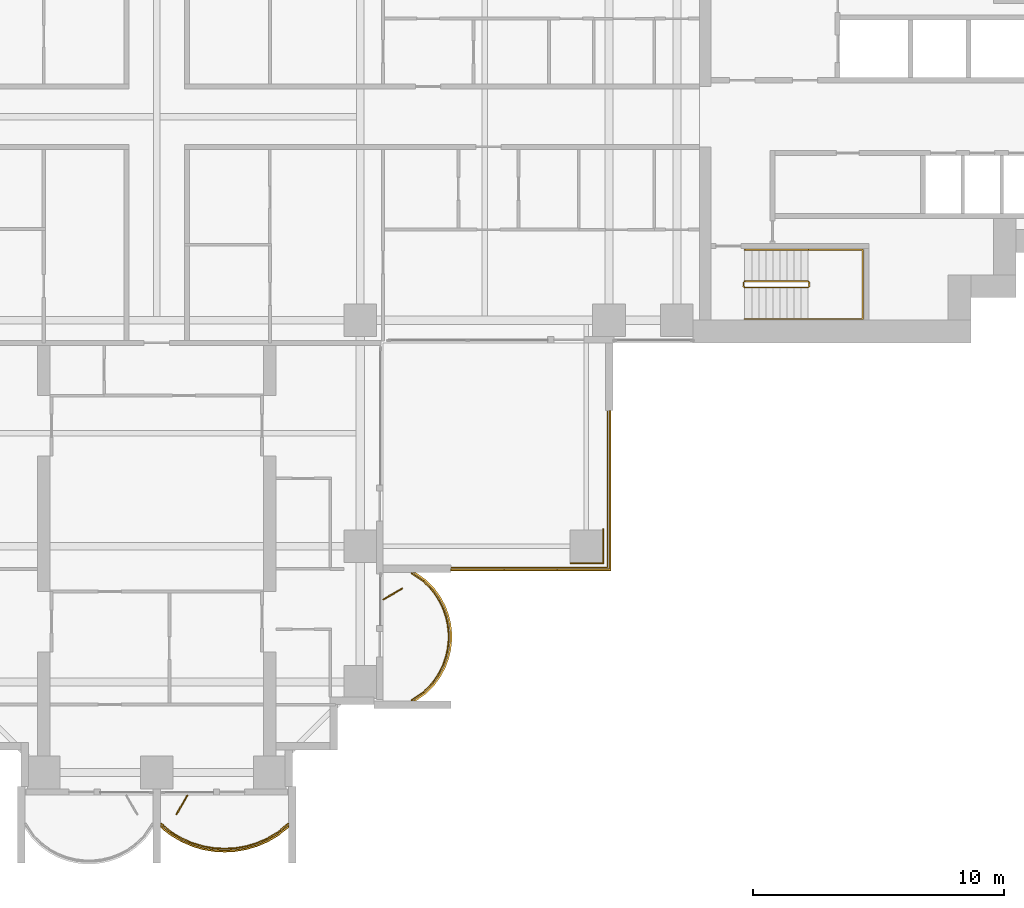
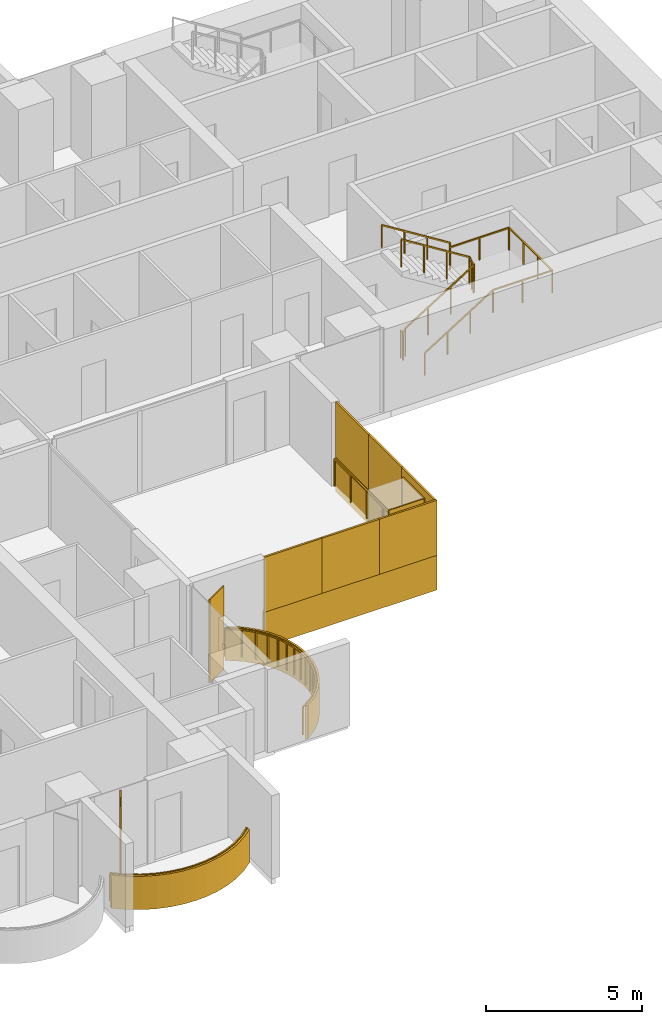
# One storey, part 18 of 21: 11 coverings, 5 railings, 2 shading devices.
"""IFC4 building model written with IfcOpenShell, lengths in metres."""

from ifc_helpers import new_model, si_unit, direction, frame, origin, origin_2d, place, context, subcontext, project, spatial, polyline, rectangle, outline, extrude, material, layer, layer_set, type_object, element, save


model = new_model("IFC4")

# Units and contexts
model_context = context("Model", 3, precision=1e-05, world=origin(), true_north=direction((0.0, 1.0)))
body_context = subcontext(model_context, "Body", "Model", "MODEL_VIEW")
ifc_project = project(units=[si_unit("LENGTHUNIT", "METRE"), si_unit("AREAUNIT", "SQUARE_METRE"), si_unit("VOLUMEUNIT", "CUBIC_METRE"), si_unit("PLANEANGLEUNIT", "RADIAN"), si_unit("MASSUNIT", "GRAM", prefix="KILO")], contexts=[model_context])

# Site, building, storey
site_placement = place(None, origin())
site = spatial("IfcSite", under=ifc_project, at=site_placement, CompositionType="ELEMENT")
building_placement = place(site_placement, origin())
building = spatial("IfcBuilding", under=site, at=building_placement, Name="Perihelion Cross Residences", CompositionType="ELEMENT")
storey_placement = place(building_placement, frame((0.0, 0.0, 54.0)))
storey = spatial("IfcBuildingStorey", under=building, at=storey_placement, Name="L10", CompositionType="ELEMENT", Elevation=54.0)

# Coverings
ifc_material_1 = material(Name="Bronze anodised aluminium", Category="aluminium")
ifc_layer_1 = layer(ifc_material_1, 0.070068359375)
ifc_layer_set_1 = layer_set([ifc_layer_1], Name="Balcony fascia 1300")
covering_type_1 = type_object("IfcCoveringType", Name="Balcony fascia 1300", PredefinedType="CLADDING", material=ifc_layer_set_1)
covering_1_placement = place(storey_placement, frame((0.0, 0.0, -0.199951171875)))
element("IfcCovering", 1, at=covering_1_placement, inside=storey, type_object=covering_type_1, Name="Fascia BF1 L10 south tip south bay 2", PredefinedType="CLADDING", context=body_context, shape_type="SweptSolid", body=[
    extrude(outline(polyline([(0.53515625, -28.59765625), (0.96826171875, -28.85498046875), (1.401123046875, -29.04248046875), (1.833984375, -29.170654296875), (2.26708984375, -29.245361328125), (2.699951171875, -29.27001953125), (3.133056640625, -29.245361328125), (3.56591796875, -29.170654296875), (3.998779296875, -29.04248046875), (4.431884765625, -28.85498046875), (4.86474609375, -28.59765625), (5.25, -28.28955078125), (5.25, -28.199951171875), (4.824951171875, -28.5400390625), (4.39990234375, -28.792724609375), (3.97509765625, -28.9765625), (3.550048828125, -29.1025390625), (3.125, -29.17578125), (2.699951171875, -29.199951171875), (2.27490234375, -29.17578125), (1.85009765625, -29.1025390625), (1.425048828125, -28.9765625), (1.0, -28.792724609375), (0.574951171875, -28.5400390625), (0.14990234375, -28.199951171875), (0.14990234375, -28.28955078125), (0.53515625, -28.59765625)])), origin(), (0.0, 0.0, 1.0), 1.300048828125),
])
covering_2_placement = place(storey_placement, frame((0.0, 0.0, -0.199951171875)))
element("IfcCovering", 2, at=covering_2_placement, inside=storey, type_object=covering_type_1, Name="Fascia BF1 L10 south side east bay 1", PredefinedType="CLADDING", context=body_context, shape_type="SweptSolid", body=[
    extrude(outline(polyline([(10.722412109375, -22.963134765625), (11.060791015625, -22.61474609375), (11.308837890625, -22.2666015625), (11.4912109375, -21.91845703125), (11.620361328125, -21.5703125), (11.703369140625, -21.22216796875), (11.743896484375, -20.8740234375), (11.743896484375, -20.52587890625), (11.703369140625, -20.177734375), (11.620361328125, -19.82958984375), (11.4912109375, -19.4814453125), (11.308837890625, -19.13330078125), (11.060791015625, -18.78515625), (10.722412109375, -18.43701171875), (10.320556640625, -18.14990234375), (10.199951171875, -18.14990234375), (10.6767578125, -18.489990234375), (11.007080078125, -18.830078125), (11.2490234375, -19.169921875), (11.42724609375, -19.510009765625), (11.553466796875, -19.85009765625), (11.63427734375, -20.18994140625), (11.674072265625, -20.530029296875), (11.674072265625, -20.8701171875), (11.63427734375, -21.2099609375), (11.553466796875, -21.550048828125), (11.42724609375, -21.889892578125), (11.2490234375, -22.22998046875), (11.007080078125, -22.570068359375), (10.6767578125, -22.909912109375), (10.199951171875, -23.25), (10.320556640625, -23.25), (10.722412109375, -22.963134765625)])), origin(), (0.0, 0.0, 1.0), 1.300048828125),
])

# Railings
ifc_material_2 = material(Name="Bronze anodised aluminium", Category="aluminium")
railing_type_1 = type_object("IfcRailingType", Name="Balcony guard 1100", PredefinedType="GUARDRAIL", material=ifc_material_2)
railing_1_placement = place(storey_placement, frame((0.175048828125, -28.139892578125, 0.0)))
element("IfcRailing", 3, at=railing_1_placement, inside=storey, type_object=railing_type_1, Name="Guard GU1 L10 south tip south bay 2 balcony", PredefinedType="GUARDRAIL", context=body_context, shape_type="SweptSolid", body=[
    extrude(rectangle(XDim=0.048095703125, YDim=0.048095703125, at=origin_2d()), frame((0.0, 0.0, 1.076171875), z_axis=(0.761778647315, -0.647837396648, 0.0), x_axis=(0.647837396648, 0.761778647315, 0.0)), (0.0, 0.0, 1.0), 0.52490234375),
    extrude(rectangle(XDim=0.048095703125, YDim=0.048095703125, at=origin_2d()), frame((0.39990234375, -0.340087890625, 1.076171875), z_axis=(0.859576918062, -0.511006381501, 0.0), x_axis=(0.511006381501, 0.859576918062, 0.0)), (0.0, 0.0, 1.0), 0.494384765625),
    extrude(rectangle(XDim=0.048095703125, YDim=0.048095703125, at=origin_2d()), frame((0.824951171875, -0.5927734375, 1.076171875), z_axis=(0.917638931453, -0.397415137459, 0.0), x_axis=(0.397415137459, 0.917638931453, 0.0)), (0.0, 0.0, 1.0), 0.463134765625),
    extrude(rectangle(XDim=0.048095703125, YDim=0.048095703125, at=origin_2d()), frame((1.25, -0.77685546875, 1.076171875), z_axis=(0.958925815697, -0.283656975924, 0.0), x_axis=(0.283656975924, 0.958925815697, 0.0)), (0.0, 0.0, 1.0), 0.443359375),
    extrude(rectangle(XDim=0.048095703125, YDim=0.048095703125, at=origin_2d()), frame((1.675048828125, -0.902587890625, 1.076171875), z_axis=(0.985365142702, -0.170456843651, 0.0), x_axis=(0.170456843651, 0.985365142702, 0.0)), (0.0, 0.0, 1.0), 0.43115234375),
    extrude(rectangle(XDim=0.048095703125, YDim=0.048095703125, at=origin_2d()), frame((2.099853515625, -0.97607421875, 1.076171875), z_axis=(0.9984195016, -0.056200523353, 0.0), x_axis=(0.056200523353, 0.9984195016, 0.0)), (0.0, 0.0, 1.0), 0.42578125),
    extrude(rectangle(XDim=0.048095703125, YDim=0.048095703125, at=origin_2d()), frame((2.52490234375, -1.0, 1.076171875), z_axis=(0.9984195016, 0.056200523353, 0.0), x_axis=(-0.056200523353, 0.9984195016, 0.0)), (0.0, 0.0, 1.0), 0.42578125),
    extrude(rectangle(XDim=0.048095703125, YDim=0.048095703125, at=origin_2d()), frame((2.949951171875, -0.97607421875, 1.076171875), z_axis=(0.985381583142, 0.17036177859, 0.0), x_axis=(-0.17036177859, 0.985381583142, 0.0)), (0.0, 0.0, 1.0), 0.431396484375),
    extrude(rectangle(XDim=0.048095703125, YDim=0.048095703125, at=origin_2d()), frame((3.375, -0.902587890625, 1.076171875), z_axis=(0.958925815697, 0.283656975924, 0.0), x_axis=(-0.283656975924, 0.958925815697, 0.0)), (0.0, 0.0, 1.0), 0.443359375),
    extrude(rectangle(XDim=0.048095703125, YDim=0.048095703125, at=origin_2d()), frame((3.800048828125, -0.77685546875, 1.076171875), z_axis=(0.91755562531, 0.397607437634, 0.0), x_axis=(-0.397607437634, 0.91755562531, 0.0)), (0.0, 0.0, 1.0), 0.462890625),
    extrude(rectangle(XDim=0.048095703125, YDim=0.048095703125, at=origin_2d()), frame((4.224853515625, -0.5927734375, 1.076171875), z_axis=(0.859576918062, 0.511006381501, 0.0), x_axis=(-0.511006381501, 0.859576918062, 0.0)), (0.0, 0.0, 1.0), 0.494384765625),
    extrude(rectangle(XDim=0.048095703125, YDim=0.048095703125, at=origin_2d()), frame((4.64990234375, -0.340087890625, 1.076171875), z_axis=(0.761973728849, 0.647607934281, 0.0), x_axis=(-0.647607934281, 0.761973728849, 0.0)), (0.0, 0.0, 1.0), 0.525146484375),
    extrude(rectangle(XDim=0.0419921875, YDim=0.0419921875, at=origin_2d()), origin(), (0.0, 0.0, 1.0), 1.052001953125),
    extrude(rectangle(XDim=0.0419921875, YDim=0.0419921875, at=origin_2d()), frame((0.39990234375, -0.340087890625, 0.0)), (0.0, 0.0, 1.0), 1.052001953125),
    extrude(rectangle(XDim=0.0419921875, YDim=0.0419921875, at=origin_2d()), frame((0.824951171875, -0.5927734375, 0.0)), (0.0, 0.0, 1.0), 1.052001953125),
    extrude(rectangle(XDim=0.0419921875, YDim=0.0419921875, at=origin_2d()), frame((1.25, -0.77685546875, 0.0)), (0.0, 0.0, 1.0), 1.052001953125),
    extrude(rectangle(XDim=0.0419921875, YDim=0.0419921875, at=origin_2d()), frame((1.675048828125, -0.902587890625, 0.0)), (0.0, 0.0, 1.0), 1.052001953125),
    extrude(rectangle(XDim=0.0419921875, YDim=0.0419921875, at=origin_2d()), frame((2.099853515625, -0.97607421875, 0.0)), (0.0, 0.0, 1.0), 1.052001953125),
    extrude(rectangle(XDim=0.0419921875, YDim=0.0419921875, at=origin_2d()), frame((2.52490234375, -1.0, 0.0)), (0.0, 0.0, 1.0), 1.052001953125),
    extrude(rectangle(XDim=0.0419921875, YDim=0.0419921875, at=origin_2d()), frame((2.949951171875, -0.97607421875, 0.0)), (0.0, 0.0, 1.0), 1.052001953125),
    extrude(rectangle(XDim=0.0419921875, YDim=0.0419921875, at=origin_2d()), frame((3.375, -0.902587890625, 0.0)), (0.0, 0.0, 1.0), 1.052001953125),
    extrude(rectangle(XDim=0.0419921875, YDim=0.0419921875, at=origin_2d()), frame((3.800048828125, -0.77685546875, 0.0)), (0.0, 0.0, 1.0), 1.052001953125),
    extrude(rectangle(XDim=0.0419921875, YDim=0.0419921875, at=origin_2d()), frame((4.224853515625, -0.5927734375, 0.0)), (0.0, 0.0, 1.0), 1.052001953125),
    extrude(rectangle(XDim=0.0419921875, YDim=0.0419921875, at=origin_2d()), frame((4.64990234375, -0.340087890625, 0.0)), (0.0, 0.0, 1.0), 1.052001953125),
    extrude(rectangle(XDim=0.0419921875, YDim=0.0419921875, at=origin_2d()), frame((5.050048828125, 0.0, 0.0)), (0.0, 0.0, 1.0), 1.052001953125),
])
railing_2_placement = place(storey_placement, frame((10.139892578125, -23.22509765625, 0.0)))
element("IfcRailing", 4, at=railing_2_placement, inside=storey, type_object=railing_type_1, Name="Guard GU1 L10 south side east bay 1 balcony", PredefinedType="GUARDRAIL", context=body_context, shape_type="SweptSolid", body=[
    extrude(rectangle(XDim=0.048095703125, YDim=0.048095703125, at=origin_2d()), frame((0.0, 0.0, 1.076171875), z_axis=(0.834212513801, 0.55144309028, 0.0), x_axis=(-0.55144309028, 0.834212513801, 0.0)), (0.0, 0.0, 1.0), 0.571533203125),
    extrude(rectangle(XDim=0.048095703125, YDim=0.048095703125, at=origin_2d()), frame((0.476806640625, 0.315185546875, 1.076171875), z_axis=(0.696990112603, 0.717080736691, 0.0), x_axis=(-0.717080736691, 0.696990112603, 0.0)), (0.0, 0.0, 1.0), 0.473876953125),
    extrude(rectangle(XDim=0.048095703125, YDim=0.048095703125, at=origin_2d()), frame((0.80712890625, 0.655029296875, 1.076171875), z_axis=(0.580075995532, 0.814562360662, 0.0), x_axis=(-0.814562360662, 0.580075995532, 0.0)), (0.0, 0.0, 1.0), 0.41748046875),
    extrude(rectangle(XDim=0.048095703125, YDim=0.048095703125, at=origin_2d()), frame((1.04931640625, 0.9951171875, 1.076171875), z_axis=(0.463674228502, 0.886005761733, 0.0), x_axis=(-0.886005761733, 0.463674228502, 0.0)), (0.0, 0.0, 1.0), 0.3837890625),
    extrude(rectangle(XDim=0.048095703125, YDim=0.048095703125, at=origin_2d()), frame((1.227294921875, 1.335205078125, 1.076171875), z_axis=(0.348169621027, 0.937431552165, 0.0), x_axis=(-0.937431552165, 0.348169621027, 0.0)), (0.0, 0.0, 1.0), 0.362548828125),
    extrude(rectangle(XDim=0.048095703125, YDim=0.048095703125, at=origin_2d()), frame((1.353515625, 1.675048828125, 1.076171875), z_axis=(0.231840805498, 0.972753741142, 0.0), x_axis=(-0.972753741142, 0.231840805498, 0.0)), (0.0, 0.0, 1.0), 0.349609375),
    extrude(rectangle(XDim=0.048095703125, YDim=0.048095703125, at=origin_2d()), frame((1.4345703125, 2.01513671875, 1.076171875), z_axis=(0.11559909788, 0.993295952156, 0.0), x_axis=(-0.993295952156, 0.11559909788, 0.0)), (0.0, 0.0, 1.0), 0.342041015625),
    extrude(rectangle(XDim=0.048095703125, YDim=0.048095703125, at=origin_2d()), frame((1.47412109375, 2.35498046875, 1.076171875), z_axis=(0.0, 1.0, 0.0), x_axis=(-1.0, 0.0, 0.0)), (0.0, 0.0, 1.0), 0.340087890625),
    extrude(rectangle(XDim=0.048095703125, YDim=0.048095703125, at=origin_2d()), frame((1.47412109375, 2.695068359375, 1.076171875), z_axis=(-0.11551721994, 0.993305477634, 0.0), x_axis=(-0.993305477634, -0.11551721994, 0.0)), (0.0, 0.0, 1.0), 0.34228515625),
    extrude(rectangle(XDim=0.048095703125, YDim=0.048095703125, at=origin_2d()), frame((1.4345703125, 3.03515625, 1.076171875), z_axis=(-0.231998396458, 0.972716168284, 0.0), x_axis=(-0.972716168284, -0.231998396458, 0.0)), (0.0, 0.0, 1.0), 0.349365234375),
    extrude(rectangle(XDim=0.048095703125, YDim=0.048095703125, at=origin_2d()), frame((1.353515625, 3.375, 1.076171875), z_axis=(-0.347949948587, 0.93751311099, 0.0), x_axis=(-0.93751311099, -0.347949948587, 0.0)), (0.0, 0.0, 1.0), 0.36279296875),
    extrude(rectangle(XDim=0.048095703125, YDim=0.048095703125, at=origin_2d()), frame((1.227294921875, 3.715087890625, 1.076171875), z_axis=(-0.463674228502, 0.886005761733, 0.0), x_axis=(-0.886005761733, -0.463674228502, 0.0)), (0.0, 0.0, 1.0), 0.3837890625),
    extrude(rectangle(XDim=0.048095703125, YDim=0.048095703125, at=origin_2d()), frame((1.04931640625, 4.05517578125, 1.076171875), z_axis=(-0.580352394782, 0.814365457194, 0.0), x_axis=(-0.814365457194, -0.580352394782, 0.0)), (0.0, 0.0, 1.0), 0.417236328125),
    extrude(rectangle(XDim=0.048095703125, YDim=0.048095703125, at=origin_2d()), frame((0.80712890625, 4.39501953125, 1.076171875), z_axis=(-0.69673269466, 0.717330852669, 0.0), x_axis=(-0.717330852669, -0.69673269466, 0.0)), (0.0, 0.0, 1.0), 0.47412109375),
    extrude(rectangle(XDim=0.048095703125, YDim=0.048095703125, at=origin_2d()), frame((0.476806640625, 4.735107421875, 1.076171875), z_axis=(-0.834409002258, 0.551145731138, 0.0), x_axis=(-0.551145731138, -0.834409002258, 0.0)), (0.0, 0.0, 1.0), 0.571533203125),
    extrude(rectangle(XDim=0.0419921875, YDim=0.0419921875, at=origin_2d()), origin(), (0.0, 0.0, 1.0), 1.052001953125),
    extrude(rectangle(XDim=0.0419921875, YDim=0.0419921875, at=origin_2d()), frame((0.476806640625, 0.315185546875, 0.0)), (0.0, 0.0, 1.0), 1.052001953125),
    extrude(rectangle(XDim=0.0419921875, YDim=0.0419921875, at=origin_2d()), frame((0.80712890625, 0.655029296875, 0.0)), (0.0, 0.0, 1.0), 1.052001953125),
    extrude(rectangle(XDim=0.0419921875, YDim=0.0419921875, at=origin_2d()), frame((1.04931640625, 0.9951171875, 0.0)), (0.0, 0.0, 1.0), 1.052001953125),
    extrude(rectangle(XDim=0.0419921875, YDim=0.0419921875, at=origin_2d()), frame((1.227294921875, 1.335205078125, 0.0)), (0.0, 0.0, 1.0), 1.052001953125),
    extrude(rectangle(XDim=0.0419921875, YDim=0.0419921875, at=origin_2d()), frame((1.353515625, 1.675048828125, 0.0)), (0.0, 0.0, 1.0), 1.052001953125),
    extrude(rectangle(XDim=0.0419921875, YDim=0.0419921875, at=origin_2d()), frame((1.4345703125, 2.01513671875, 0.0)), (0.0, 0.0, 1.0), 1.052001953125),
    extrude(rectangle(XDim=0.0419921875, YDim=0.0419921875, at=origin_2d()), frame((1.47412109375, 2.35498046875, 0.0)), (0.0, 0.0, 1.0), 1.052001953125),
    extrude(rectangle(XDim=0.0419921875, YDim=0.0419921875, at=origin_2d()), frame((1.47412109375, 2.695068359375, 0.0)), (0.0, 0.0, 1.0), 1.052001953125),
    extrude(rectangle(XDim=0.0419921875, YDim=0.0419921875, at=origin_2d()), frame((1.4345703125, 3.03515625, 0.0)), (0.0, 0.0, 1.0), 1.052001953125),
    extrude(rectangle(XDim=0.0419921875, YDim=0.0419921875, at=origin_2d()), frame((1.353515625, 3.375, 0.0)), (0.0, 0.0, 1.0), 1.052001953125),
    extrude(rectangle(XDim=0.0419921875, YDim=0.0419921875, at=origin_2d()), frame((1.227294921875, 3.715087890625, 0.0)), (0.0, 0.0, 1.0), 1.052001953125),
    extrude(rectangle(XDim=0.0419921875, YDim=0.0419921875, at=origin_2d()), frame((1.04931640625, 4.05517578125, 0.0)), (0.0, 0.0, 1.0), 1.052001953125),
    extrude(rectangle(XDim=0.0419921875, YDim=0.0419921875, at=origin_2d()), frame((0.80712890625, 4.39501953125, 0.0)), (0.0, 0.0, 1.0), 1.052001953125),
    extrude(rectangle(XDim=0.0419921875, YDim=0.0419921875, at=origin_2d()), frame((0.476806640625, 4.735107421875, 0.0)), (0.0, 0.0, 1.0), 1.052001953125),
    extrude(rectangle(XDim=0.0419921875, YDim=0.0419921875, at=origin_2d()), frame((0.0, 5.050048828125, 0.0)), (0.0, 0.0, 1.0), 1.052001953125),
])
railing_3_placement = place(storey_placement, frame((17.93994140625, -11.739990234375, 0.0)))
element("IfcRailing", 5, at=railing_3_placement, inside=storey, type_object=railing_type_1, Name="Guard GU1 L10 pocket south-east 1", PredefinedType="GUARDRAIL", context=body_context, shape_type="SweptSolid", body=[
    extrude(rectangle(XDim=0.048095703125, YDim=0.048095703125, at=origin_2d()), frame((0.0, 0.0, 1.076171875), z_axis=(0.0, -1.0, 0.0), x_axis=(1.0, 0.0, 0.0)), (0.0, 0.0, 1.0), 6.199951171875),
    extrude(rectangle(XDim=0.048095703125, YDim=0.048095703125, at=origin_2d()), frame((0.0, -6.199951171875, 1.076171875), z_axis=(-1.0, 0.0, 0.0), x_axis=(0.0, -1.0, 0.0)), (0.0, 0.0, 1.0), 6.199951171875),
    extrude(rectangle(XDim=0.0419921875, YDim=0.0419921875, at=origin_2d()), origin(), (0.0, 0.0, 1.0), 1.052001953125),
    extrude(rectangle(XDim=0.0419921875, YDim=0.0419921875, at=origin_2d()), frame((0.0, -1.033203125, 0.0)), (0.0, 0.0, 1.0), 1.052001953125),
    extrude(rectangle(XDim=0.0419921875, YDim=0.0419921875, at=origin_2d()), frame((0.0, -2.066650390625, 0.0)), (0.0, 0.0, 1.0), 1.052001953125),
    extrude(rectangle(XDim=0.0419921875, YDim=0.0419921875, at=origin_2d()), frame((0.0, -3.10009765625, 0.0)), (0.0, 0.0, 1.0), 1.052001953125),
    extrude(rectangle(XDim=0.0419921875, YDim=0.0419921875, at=origin_2d()), frame((0.0, -4.13330078125, 0.0)), (0.0, 0.0, 1.0), 1.052001953125),
    extrude(rectangle(XDim=0.0419921875, YDim=0.0419921875, at=origin_2d()), frame((0.0, -5.16650390625, 0.0)), (0.0, 0.0, 1.0), 1.052001953125),
    extrude(rectangle(XDim=0.0419921875, YDim=0.0419921875, at=origin_2d()), frame((0.0, -6.199951171875, 0.0)), (0.0, 0.0, 1.0), 1.052001953125),
    extrude(rectangle(XDim=0.0419921875, YDim=0.0419921875, at=origin_2d()), frame((-1.033203125, -6.199951171875, 0.0)), (0.0, 0.0, 1.0), 1.052001953125),
    extrude(rectangle(XDim=0.0419921875, YDim=0.0419921875, at=origin_2d()), frame((-2.066650390625, -6.199951171875, 0.0)), (0.0, 0.0, 1.0), 1.052001953125),
    extrude(rectangle(XDim=0.0419921875, YDim=0.0419921875, at=origin_2d()), frame((-3.10009765625, -6.199951171875, 0.0)), (0.0, 0.0, 1.0), 1.052001953125),
    extrude(rectangle(XDim=0.0419921875, YDim=0.0419921875, at=origin_2d()), frame((-4.13330078125, -6.199951171875, 0.0)), (0.0, 0.0, 1.0), 1.052001953125),
    extrude(rectangle(XDim=0.0419921875, YDim=0.0419921875, at=origin_2d()), frame((-5.16650390625, -6.199951171875, 0.0)), (0.0, 0.0, 1.0), 1.052001953125),
    extrude(rectangle(XDim=0.0419921875, YDim=0.0419921875, at=origin_2d()), frame((-6.199951171875, -6.199951171875, 0.0)), (0.0, 0.0, 1.0), 1.052001953125),
])

# Coverings
ifc_material_3 = material(Name="Bronze anodised aluminium", Category="aluminium")
ifc_layer_2 = layer(ifc_material_3, 0.0400390625)
ifc_layer_set_2 = layer_set([ifc_layer_2], Name="Bronze column casing 40")
covering_type_2 = type_object("IfcCoveringType", Name="Bronze column casing 40", PredefinedType="CLADDING", material=ifc_layer_set_2)
covering_3_placement = place(storey_placement, frame((17.77001953125, -17.10009765625, -0.25), z_axis=(0.0, 0.0, 1.0), x_axis=(1.0, 0.0, 0.0)))
element("IfcCovering", 6, at=covering_3_placement, inside=storey, type_object=covering_type_2, Name="Cladding CC1 L10 casing east-west no. 3", PredefinedType="CLADDING", context=body_context, shape_type="SweptSolid", body=[
    extrude(rectangle(XDim=0.0400390625, YDim=1.3798828125, at=origin_2d()), origin(), (0.0, 0.0, 1.0), 3.5),
])
covering_4_placement = place(storey_placement, frame((17.10009765625, -17.77001953125, -0.25), z_axis=(0.0, 0.0, 1.0), x_axis=(1.0, 0.0, 0.0)))
element("IfcCovering", 7, at=covering_4_placement, inside=storey, type_object=covering_type_2, Name="Cladding CC1 L10 casing north-south no. 3", PredefinedType="CLADDING", context=body_context, shape_type="SweptSolid", body=[
    extrude(rectangle(XDim=1.300048828125, YDim=0.0400390625, at=origin_2d()), origin(), (0.0, 0.0, 1.0), 3.5),
])

# Shading devices
ifc_material_4 = material(Name="Bronze anodised aluminium", Category="aluminium")
ifc_layer_3 = layer(ifc_material_4, 0.050048828125)
ifc_layer_set_3 = layer_set([ifc_layer_3], Name="Bronze fin 900")
shading_device_type = type_object("IfcShadingDeviceType", Name="Bronze fin 900", PredefinedType="USERDEFINED", material=ifc_layer_set_3)
for number, where, z_axis, x_axis, name in (
    (8, (1.0, -27.3896484375, 0.0), (0.0, 0.0, 1.0), (-0.5, -0.866025403784, 0.0), "Fin FN1 L10 south tip south bay 2"),
    (9, (9.3896484375, -19.0, 0.0), (0.0, 0.0, 1.0), (0.866025403784, 0.5, 0.0), "Fin FN1 L10 south side east bay 1"),
):
    element("IfcShadingDevice", number, at=place(storey_placement, frame(where, z_axis=z_axis, x_axis=x_axis)), inside=storey, type_object=shading_device_type, Name=name, ObjectType="FIN", PredefinedType="USERDEFINED", context=body_context, shape_type="SweptSolid", body=[
        extrude(rectangle(XDim=0.89990234375, YDim=0.050048828125, at=origin_2d()), origin(), (0.0, 0.0, 1.0), 3.25),
    ])

# Coverings
ifc_material_5 = material(Name="Bronze anodised aluminium", Category="aluminium")
ifc_layer_4 = layer(ifc_material_5, 0.070068359375)
ifc_layer_set_4 = layer_set([ifc_layer_4], Name="Pocket fascia 1350")
covering_type_3 = type_object("IfcCoveringType", Name="Pocket fascia 1350", PredefinedType="CLADDING", material=ifc_layer_set_4)
covering_5_placement = place(storey_placement, frame((0.0, 0.0, -0.25)))
element("IfcCovering", 10, at=covering_5_placement, inside=storey, type_object=covering_type_3, Name="Fascia BF2 L10 pocket south-east 3", PredefinedType="CLADDING", context=body_context, shape_type="SweptSolid", body=[
    extrude(outline(polyline([(18.070068359375, -18.070068359375), (18.070068359375, -11.699951171875), (18.0, -11.699951171875), (18.0, -18.0), (11.699951171875, -18.0), (11.699951171875, -18.070068359375), (18.070068359375, -18.070068359375)])), origin(), (0.0, 0.0, 1.0), 1.35009765625),
])
ifc_material_6 = material(Name="Bronze perforated aluminium", Category="aluminium")
ifc_layer_5 = layer(ifc_material_6, 0.070068359375)
ifc_layer_set_5 = layer_set([ifc_layer_5], Name="Pocket solar screen, bronze perforated")
covering_type_4 = type_object("IfcCoveringType", Name="Pocket solar screen, bronze perforated", PredefinedType="CLADDING", material=ifc_layer_set_5)
covering_6_placement = place(storey_placement, frame((0.0, 0.0, 1.10009765625)))
element("IfcCovering", 11, at=covering_6_placement, inside=storey, type_object=covering_type_4, Name="Solar screen PS1 L10 pocket south-east no. 1", PredefinedType="CLADDING", context=body_context, shape_type="SweptSolid", body=[
    extrude(outline(polyline([(18.070068359375, -18.0), (18.070068359375, -15.89990234375), (18.0, -15.89990234375), (18.0, -18.0), (18.070068359375, -18.0)])), origin(), (0.0, 0.0, 1.0), 2.14990234375),
])
covering_7_placement = place(storey_placement, frame((0.0, 0.0, 1.10009765625)))
element("IfcCovering", 12, at=covering_7_placement, inside=storey, type_object=covering_type_4, Name="Solar screen PS1 L10 pocket south-east no. 2", PredefinedType="CLADDING", context=body_context, shape_type="SweptSolid", body=[
    extrude(outline(polyline([(18.070068359375, -15.89990234375), (18.070068359375, -13.800048828125), (18.0, -13.800048828125), (18.0, -15.89990234375), (18.070068359375, -15.89990234375)])), origin(), (0.0, 0.0, 1.0), 2.14990234375),
])
covering_8_placement = place(storey_placement, frame((0.0, 0.0, 1.10009765625)))
element("IfcCovering", 13, at=covering_8_placement, inside=storey, type_object=covering_type_4, Name="Solar screen PS1 L10 pocket south-east no. 3", PredefinedType="CLADDING", context=body_context, shape_type="SweptSolid", body=[
    extrude(outline(polyline([(18.070068359375, -13.800048828125), (18.070068359375, -11.699951171875), (18.0, -11.699951171875), (18.0, -13.800048828125), (18.070068359375, -13.800048828125)])), origin(), (0.0, 0.0, 1.0), 2.14990234375),
])
covering_9_placement = place(storey_placement, frame((0.0, 0.0, 1.10009765625)))
element("IfcCovering", 14, at=covering_9_placement, inside=storey, type_object=covering_type_4, Name="Solar screen PS1 L10 pocket south-east no. 4", PredefinedType="CLADDING", context=body_context, shape_type="SweptSolid", body=[
    extrude(outline(polyline([(13.8232421875, -18.070068359375), (13.8232421875, -18.0), (11.699951171875, -18.0), (11.699951171875, -18.070068359375), (13.8232421875, -18.070068359375)])), origin(), (0.0, 0.0, 1.0), 2.14990234375),
])
covering_10_placement = place(storey_placement, frame((0.0, 0.0, 1.10009765625)))
element("IfcCovering", 15, at=covering_10_placement, inside=storey, type_object=covering_type_4, Name="Solar screen PS1 L10 pocket south-east no. 5", PredefinedType="CLADDING", context=body_context, shape_type="SweptSolid", body=[
    extrude(outline(polyline([(15.94677734375, -18.070068359375), (15.94677734375, -18.0), (13.8232421875, -18.0), (13.8232421875, -18.070068359375), (15.94677734375, -18.070068359375)])), origin(), (0.0, 0.0, 1.0), 2.14990234375),
])
covering_11_placement = place(storey_placement, frame((0.0, 0.0, 1.10009765625)))
element("IfcCovering", 16, at=covering_11_placement, inside=storey, type_object=covering_type_4, Name="Solar screen PS1 L10 pocket south-east no. 6", PredefinedType="CLADDING", context=body_context, shape_type="SweptSolid", body=[
    extrude(outline(polyline([(18.070068359375, -18.070068359375), (18.070068359375, -18.0), (15.94677734375, -18.0), (15.94677734375, -18.070068359375), (18.070068359375, -18.070068359375)])), origin(), (0.0, 0.0, 1.0), 2.14990234375),
])

# Railings
ifc_material_7 = material(Name="Stainless steel", Category="steel")
railing_type_2 = type_object("IfcRailingType", Name="Stair guard 1100", PredefinedType="GUARDRAIL", material=ifc_material_7)
railing_4_placement = place(storey_placement, frame((23.35009765625, -6.60009765625, 0.0)))
element("IfcRailing", 17, at=railing_4_placement, inside=storey, type_object=railing_type_2, Name="L10 ST-E2 stair guard 1", PredefinedType="GUARDRAIL", context=body_context, shape_type="SweptSolid", body=[
    extrude(rectangle(XDim=0.048095703125, YDim=0.048095703125, at=origin_2d()), frame((0.0, 0.0, 1.076171875), z_axis=(0.0, -1.0, 0.0), x_axis=(1.0, 0.0, 0.0)), (0.0, 0.0, 1.0), 0.14990234375),
    extrude(rectangle(XDim=0.048095703125, YDim=0.048095703125, at=origin_2d()), frame((0.0, -0.14990234375, 1.076171875), z_axis=(0.263862480399, -0.265155923931, 0.927399011991), x_axis=(0.708833529934, 0.705375805398, 0.0)), (0.0, 0.0, 1.0), 0.188720703125),
    extrude(rectangle(XDim=0.048095703125, YDim=0.048095703125, at=origin_2d()), frame((0.0498046875, -0.199951171875, 1.2509765625), z_axis=(0.848007534815, 0.0, 0.529984170421), x_axis=(0.0, 1.0, 0.0)), (0.0, 0.0, 1.0), 2.9716796875),
    extrude(rectangle(XDim=0.048095703125, YDim=0.048095703125, at=origin_2d()), frame((2.56982421875, -0.199951171875, 2.826171875), z_axis=(0.707106781187, 0.707106781187, 0.0), x_axis=(-0.707106781187, 0.707106781187, 0.0)), (0.0, 0.0, 1.0), 0.07080078125),
    extrude(rectangle(XDim=0.048095703125, YDim=0.048095703125, at=origin_2d()), frame((2.619873046875, -0.14990234375, 2.826171875), z_axis=(0.0, 1.0, 0.0), x_axis=(-1.0, 0.0, 0.0)), (0.0, 0.0, 1.0), 0.14990234375),
    extrude(rectangle(XDim=0.048095703125, YDim=0.048095703125, at=origin_2d()), frame((2.619873046875, 0.0, 2.826171875), z_axis=(-0.265065253269, 0.265065253269, 0.927081885822), x_axis=(-0.707106781187, -0.707106781187, 0.0)), (0.0, 0.0, 1.0), 0.188720703125),
    extrude(rectangle(XDim=0.048095703125, YDim=0.048095703125, at=origin_2d()), frame((2.56982421875, 0.050048828125, 3.0009765625), z_axis=(-0.848007534815, 0.0, 0.529984170421), x_axis=(0.0, -1.0, 0.0)), (0.0, 0.0, 1.0), 2.9716796875),
    extrude(rectangle(XDim=0.0419921875, YDim=0.0419921875, at=origin_2d()), origin(), (0.0, 0.0, 1.0), 1.052001953125),
    extrude(rectangle(XDim=0.0419921875, YDim=0.0419921875, at=origin_2d()), frame((0.0, -0.14990234375, 0.0)), (0.0, 0.0, 1.0), 1.052001953125),
    extrude(rectangle(XDim=0.0419921875, YDim=0.0419921875, at=origin_2d()), frame((0.0498046875, -0.199951171875, 0.175048828125)), (0.0, 0.0, 1.0), 1.052001953125),
    extrude(rectangle(XDim=0.0419921875, YDim=0.0419921875, at=origin_2d()), frame((0.889892578125, -0.199951171875, 0.699951171875)), (0.0, 0.0, 1.0), 1.052001953125),
    extrude(rectangle(XDim=0.0419921875, YDim=0.0419921875, at=origin_2d()), frame((1.729736328125, -0.199951171875, 1.22509765625)), (0.0, 0.0, 1.0), 1.052001953125),
    extrude(rectangle(XDim=0.0419921875, YDim=0.0419921875, at=origin_2d()), frame((2.56982421875, -0.199951171875, 1.75)), (0.0, 0.0, 1.0), 1.052001953125),
    extrude(rectangle(XDim=0.0419921875, YDim=0.0419921875, at=origin_2d()), frame((2.619873046875, -0.14990234375, 1.75)), (0.0, 0.0, 1.0), 1.052001953125),
    extrude(rectangle(XDim=0.0419921875, YDim=0.0419921875, at=origin_2d()), frame((2.619873046875, 0.0, 1.75)), (0.0, 0.0, 1.0), 1.052001953125),
    extrude(rectangle(XDim=0.0419921875, YDim=0.0419921875, at=origin_2d()), frame((2.56982421875, 0.050048828125, 1.925048828125)), (0.0, 0.0, 1.0), 1.052001953125),
    extrude(rectangle(XDim=0.0419921875, YDim=0.0419921875, at=origin_2d()), frame((1.729736328125, 0.050048828125, 2.449951171875)), (0.0, 0.0, 1.0), 1.052001953125),
    extrude(rectangle(XDim=0.0419921875, YDim=0.0419921875, at=origin_2d()), frame((0.889892578125, 0.050048828125, 2.97509765625)), (0.0, 0.0, 1.0), 1.052001953125),
    extrude(rectangle(XDim=0.0419921875, YDim=0.0419921875, at=origin_2d()), frame((0.0498046875, 0.050048828125, 3.5)), (0.0, 0.0, 1.0), 1.052001953125),
])
ifc_material_8 = material(Name="Stainless steel", Category="steel")
railing_type_3 = type_object("IfcRailingType", Name="Stair handrail 900", PredefinedType="HANDRAIL", material=ifc_material_8)
railing_5_placement = place(storey_placement, frame((23.39990234375, -8.050048828125, 0.175048828125)))
element("IfcRailing", 18, at=railing_5_placement, inside=storey, type_object=railing_type_3, Name="L10 ST-E2 stair handrail 1", PredefinedType="HANDRAIL", context=body_context, shape_type="SweptSolid", body=[
    extrude(rectangle(XDim=0.048095703125, YDim=0.048095703125, at=origin_2d()), frame((0.0, 0.0, 0.8759765625), z_axis=(0.848007534815, 0.0, 0.529984170421), x_axis=(0.0, 1.0, 0.0)), (0.0, 0.0, 1.0), 2.9716796875),
    extrude(rectangle(XDim=0.048095703125, YDim=0.048095703125, at=origin_2d()), frame((2.52001953125, 0.0, 2.45068359375), z_axis=(1.0, 0.0, 0.0), x_axis=(0.0, 1.0, 0.0)), (0.0, 0.0, 1.0), 2.18017578125),
    extrude(rectangle(XDim=0.048095703125, YDim=0.048095703125, at=origin_2d()), frame((4.7001953125, 0.0, 2.45068359375), z_axis=(0.0, 1.0, 0.0), x_axis=(-1.0, 0.0, 0.0)), (0.0, 0.0, 1.0), 2.75),
    extrude(rectangle(XDim=0.048095703125, YDim=0.048095703125, at=origin_2d()), frame((4.7001953125, 2.75, 2.45068359375), z_axis=(-1.0, 0.0, 0.0), x_axis=(0.0, -1.0, 0.0)), (0.0, 0.0, 1.0), 2.18017578125),
    extrude(rectangle(XDim=0.048095703125, YDim=0.048095703125, at=origin_2d()), frame((2.52001953125, 2.75, 2.45068359375), z_axis=(0.0, 0.0, 1.0), x_axis=(1.0, 0.0, 0.0)), (0.0, 0.0, 1.0), 0.175048828125),
    extrude(rectangle(XDim=0.048095703125, YDim=0.048095703125, at=origin_2d()), frame((2.52001953125, 2.75, 2.6259765625), z_axis=(-0.848007534815, 0.0, 0.529984170421), x_axis=(0.0, -1.0, 0.0)), (0.0, 0.0, 1.0), 2.9716796875),
    extrude(rectangle(XDim=0.0419921875, YDim=0.0419921875, at=origin_2d()), origin(), (0.0, 0.0, 1.0), 0.851806640625),
    extrude(rectangle(XDim=0.0419921875, YDim=0.0419921875, at=origin_2d()), frame((0.840087890625, 0.0, 0.52490234375)), (0.0, 0.0, 1.0), 0.851806640625),
    extrude(rectangle(XDim=0.0419921875, YDim=0.0419921875, at=origin_2d()), frame((1.679931640625, 0.0, 1.050048828125)), (0.0, 0.0, 1.0), 0.851806640625),
    extrude(rectangle(XDim=0.0419921875, YDim=0.0419921875, at=origin_2d()), frame((2.52001953125, 0.0, 1.574951171875)), (0.0, 0.0, 1.0), 0.851806640625),
    extrude(rectangle(XDim=0.0419921875, YDim=0.0419921875, at=origin_2d()), frame((3.610107421875, 0.0, 1.574951171875)), (0.0, 0.0, 1.0), 0.851806640625),
    extrude(rectangle(XDim=0.0419921875, YDim=0.0419921875, at=origin_2d()), frame((4.7001953125, 0.0, 1.574951171875)), (0.0, 0.0, 1.0), 0.851806640625),
    extrude(rectangle(XDim=0.0419921875, YDim=0.0419921875, at=origin_2d()), frame((4.7001953125, 0.916748046875, 1.574951171875)), (0.0, 0.0, 1.0), 0.851806640625),
    extrude(rectangle(XDim=0.0419921875, YDim=0.0419921875, at=origin_2d()), frame((4.7001953125, 1.833251953125, 1.574951171875)), (0.0, 0.0, 1.0), 0.851806640625),
    extrude(rectangle(XDim=0.0419921875, YDim=0.0419921875, at=origin_2d()), frame((4.7001953125, 2.75, 1.574951171875)), (0.0, 0.0, 1.0), 0.851806640625),
    extrude(rectangle(XDim=0.0419921875, YDim=0.0419921875, at=origin_2d()), frame((3.610107421875, 2.75, 1.574951171875)), (0.0, 0.0, 1.0), 0.851806640625),
    extrude(rectangle(XDim=0.0419921875, YDim=0.0419921875, at=origin_2d()), frame((2.52001953125, 2.75, 1.574951171875)), (0.0, 0.0, 1.0), 0.851806640625),
    extrude(rectangle(XDim=0.0419921875, YDim=0.0419921875, at=origin_2d()), frame((2.52001953125, 2.75, 1.75)), (0.0, 0.0, 1.0), 0.851806640625),
    extrude(rectangle(XDim=0.0419921875, YDim=0.0419921875, at=origin_2d()), frame((1.679931640625, 2.75, 2.27490234375)), (0.0, 0.0, 1.0), 0.851806640625),
    extrude(rectangle(XDim=0.0419921875, YDim=0.0419921875, at=origin_2d()), frame((0.840087890625, 2.75, 2.800048828125)), (0.0, 0.0, 1.0), 0.851806640625),
    extrude(rectangle(XDim=0.0419921875, YDim=0.0419921875, at=origin_2d()), frame((0.0, 2.75, 3.324951171875)), (0.0, 0.0, 1.0), 0.851806640625),
])

save(model, "model.ifc")
